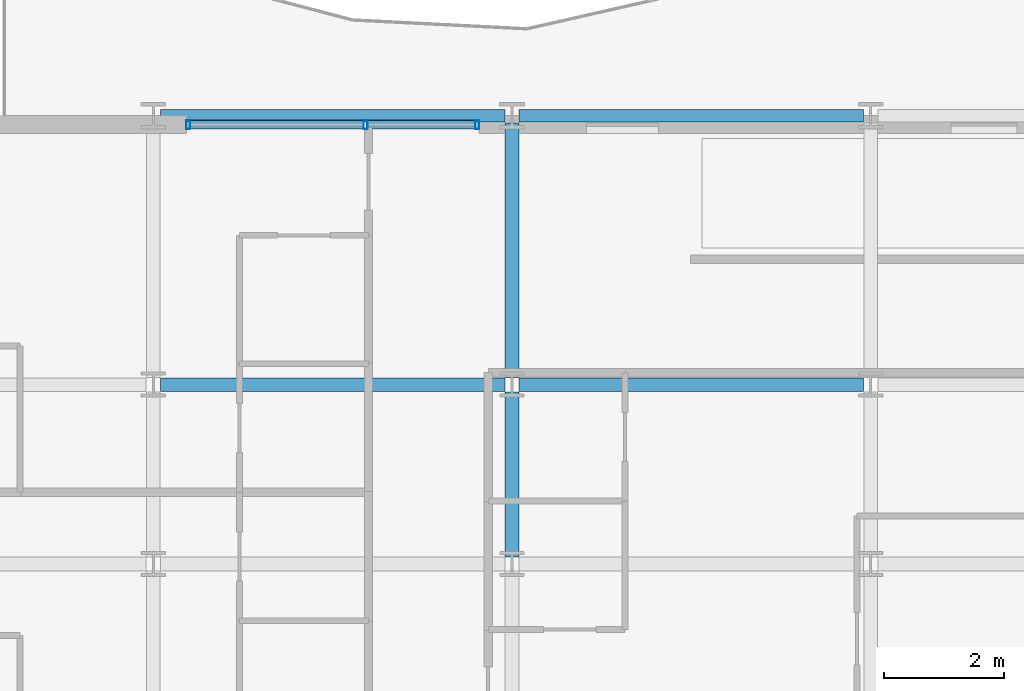
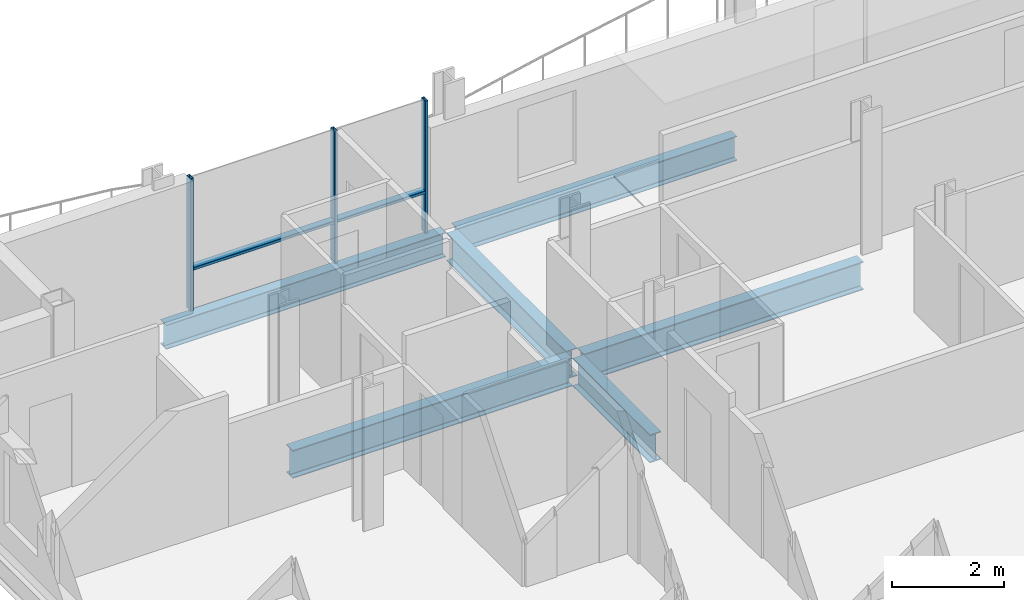
# One storey, part 7 of 39: 6 beams, 5 members, 1 element without a shape of its own.
"""IFC4 building model written with IfcOpenShell, lengths in metres."""

from ifc_helpers import new_model, si_unit, direction, frame, origin, origin_2d, place, context, subcontext, project, spatial, hollow_rectangle, i_section, extrude, material, layer, layer_set, material_profile, profile_set, type_object, element, aggregate, save


model = new_model("IFC4")

# Units and contexts
model_context = context("Model", 3, precision=1e-05, world=origin(), true_north=direction((0.0, 1.0)))
body_context = subcontext(model_context, "Body", "Model", "MODEL_VIEW")
ifc_project = project(units=[si_unit("LENGTHUNIT", "METRE"), si_unit("AREAUNIT", "SQUARE_METRE"), si_unit("VOLUMEUNIT", "CUBIC_METRE"), si_unit("PLANEANGLEUNIT", "RADIAN"), si_unit("MASSUNIT", "GRAM", prefix="KILO")], contexts=[model_context])

# Site, building, storey
site_placement = place(None, origin())
site = spatial("IfcSite", under=ifc_project, at=site_placement, CompositionType="ELEMENT")
building_placement = place(site_placement, origin())
building = spatial("IfcBuilding", under=site, at=building_placement, Name="Brevholm Reach", CompositionType="ELEMENT")
storey_placement = place(building_placement, frame((0.0, 0.0, 103.5)))
storey = spatial("IfcBuildingStorey", under=building, at=storey_placement, Name="L30", CompositionType="ELEMENT", Elevation=103.5)

# Beams
ifc_material_1 = material(Name="Structural Steel S355J2", Category="steel")
ifc_material_profile_1 = material_profile(ifc_material_1, i_section(OverallWidth=0.209228515625, OverallDepth=0.533203125, WebThickness=0.010009765625, FlangeThickness=0.015625, FilletRadius=0.0126953125, at=origin_2d()), Name="UKB 533x210x92")
ifc_profile_set_1 = profile_set([ifc_material_profile_1], Name="Structural Steel S355J2")
beam_type_1 = type_object("IfcBeamType", Name="BM-SP533", PredefinedType="SPANDREL", material=ifc_profile_set_1)
for number, where, z_axis, x_axis, name in (
    (1, (6.1201171875, 31.0, -0.486572265625), (1.0, 0.0, 0.0), (0.0, 1.0, 0.0), "L30 SP-02 Framing Beam"),
    (2, (12.1201171875, 31.0, -0.486572265625), (1.0, 0.0, 0.0), (0.0, 1.0, 0.0), "L30 SP-02 Framing Beam"),
):
    element("IfcBeam", number, at=place(storey_placement, frame(where, z_axis=z_axis, x_axis=x_axis)), inside=storey, type_object=beam_type_1, Name=name, PredefinedType="SPANDREL", context=body_context, shape_type="SweptSolid", body=[
        extrude(i_section(OverallWidth=0.209228515625, OverallDepth=0.533203125, WebThickness=0.010009765625, FlangeThickness=0.015625, FilletRadius=0.0126953125, at=origin_2d()), origin(), (0.0, 0.0, 1.0), 5.759765625),
    ])
ifc_material_2 = material(Name="Structural Steel S355J2", Category="steel")
ifc_material_profile_2 = material_profile(ifc_material_2, i_section(OverallWidth=0.22900390625, OverallDepth=0.6123046875, WebThickness=0.011962890625, FlangeThickness=0.01953125, FilletRadius=0.0126953125, at=origin_2d()), Name="UKB 610x229x125")
ifc_profile_set_2 = profile_set([ifc_material_profile_2], Name="Structural Steel S355J2")
beam_type_2 = type_object("IfcBeamType", Name="BM-SP610", PredefinedType="SPANDREL", material=ifc_profile_set_2)
for number, where, z_axis, x_axis, name in (
    (3, (6.1201171875, 26.5, -0.526123046875), (1.0, 0.0, 0.0), (0.0, 1.0, 0.0), "L30 SP-01 Framing Beam"),
    (4, (12.1201171875, 26.5, -0.526123046875), (1.0, 0.0, 0.0), (0.0, 1.0, 0.0), "L30 SP-01 Framing Beam"),
):
    element("IfcBeam", number, at=place(storey_placement, frame(where, z_axis=z_axis, x_axis=x_axis)), inside=storey, type_object=beam_type_2, Name=name, PredefinedType="SPANDREL", context=body_context, shape_type="SweptSolid", body=[
        extrude(i_section(OverallWidth=0.22900390625, OverallDepth=0.6123046875, WebThickness=0.011962890625, FlangeThickness=0.01953125, FilletRadius=0.0126953125, at=origin_2d()), origin(), (0.0, 0.0, 1.0), 5.759765625),
    ])
beam_1_placement = place(storey_placement, frame((12.0, 23.6201171875, -0.526123046875), z_axis=(0.0, 1.0, 0.0), x_axis=(-1.0, 0.0, 0.0)))
element("IfcBeam", 5, at=beam_1_placement, inside=storey, type_object=beam_type_2, Name="L30 SP-01 Framing Beam", PredefinedType="SPANDREL", context=body_context, shape_type="SweptSolid", body=[
    extrude(i_section(OverallWidth=0.22900390625, OverallDepth=0.6123046875, WebThickness=0.011962890625, FlangeThickness=0.01953125, FilletRadius=0.0126953125, at=origin_2d()), origin(), (0.0, 0.0, 1.0), 2.759765625),
])
beam_2_placement = place(storey_placement, frame((12.0, 26.6201171875, -0.526123046875), z_axis=(0.0, 1.0, 0.0), x_axis=(-1.0, 0.0, 0.0)))
element("IfcBeam", 6, at=beam_2_placement, inside=storey, type_object=beam_type_2, Name="L30 SP-01 Framing Beam", PredefinedType="SPANDREL", context=body_context, shape_type="SweptSolid", body=[
    extrude(i_section(OverallWidth=0.22900390625, OverallDepth=0.6123046875, WebThickness=0.011962890625, FlangeThickness=0.01953125, FilletRadius=0.0126953125, at=origin_2d()), origin(), (0.0, 0.0, 1.0), 4.259765625),
])

# Curtain wall, members
ifc_material_3 = material(Name="Dark Anodised Aluminium 6063-T6 and Solar-Control Glass", Category="aluminium")
ifc_layer = layer(ifc_material_3, 0.14990234375)
ifc_layer_set = layer_set([ifc_layer], Name="Dark Anodised Aluminium 6063-T6 and Solar-Control Glass")
curtain_wall_type = type_object("IfcCurtainWallType", Name="CW-01", PredefinedType="NOTDEFINED", material=ifc_layer_set)
curtain_wall_placement = place(storey_placement, origin())
curtain_wall = element("IfcCurtainWall", 7, at=curtain_wall_placement, inside=storey, type_object=curtain_wall_type, Name="L30 Curtain Wall CW-01", PredefinedType="NOTDEFINED")
ifc_material_4 = material(Name="Dark Anodised Aluminium 6063-T6", Category="aluminium")
ifc_material_profile_3 = material_profile(ifc_material_4, hollow_rectangle(XDim=0.06494140625, YDim=0.14990234375, WallThickness=0.0048828125, InnerFilletRadius=0.0048828125, OuterFilletRadius=0.010009765625, at=origin_2d()), Name="RHS 150x65x5")
ifc_profile_set_3 = profile_set([ifc_material_profile_3], Name="Dark Anodised Aluminium 6063-T6")
member_type_1 = type_object("IfcMemberType", Name="CWM-150", PredefinedType="MULLION", material=ifc_profile_set_3)
member_1_placement = place(storey_placement, frame((6.58251953125, 30.85009765625, 0.0), z_axis=(0.0, 0.0, 1.0), x_axis=(1.0, 0.0, 0.0)))
member_1 = element("IfcMember", 8, at=member_1_placement, type_object=member_type_1, Name="CM-150 Mullion 1", PredefinedType="MULLION", context=body_context, shape_type="SweptSolid", body=[
    extrude(hollow_rectangle(XDim=0.06494140625, YDim=0.14990234375, WallThickness=0.0048828125, InnerFilletRadius=0.0048828125, OuterFilletRadius=0.010009765625, at=origin_2d()), origin(), (0.0, 0.0, 1.0), 2.8798828125),
])
member_2_placement = place(storey_placement, frame((9.550048828125, 30.85009765625, 0.0), z_axis=(0.0, 0.0, 1.0), x_axis=(1.0, 0.0, 0.0)))
member_2 = element("IfcMember", 9, at=member_2_placement, type_object=member_type_1, Name="CM-150 Mullion 2", PredefinedType="MULLION", context=body_context, shape_type="SweptSolid", body=[
    extrude(hollow_rectangle(XDim=0.06494140625, YDim=0.14990234375, WallThickness=0.0048828125, InnerFilletRadius=0.0048828125, OuterFilletRadius=0.010009765625, at=origin_2d()), origin(), (0.0, 0.0, 1.0), 2.8798828125),
])
member_3_placement = place(storey_placement, frame((11.41748046875, 30.85009765625, 0.0), z_axis=(0.0, 0.0, 1.0), x_axis=(1.0, 0.0, 0.0)))
member_3 = element("IfcMember", 10, at=member_3_placement, type_object=member_type_1, Name="CM-150 Mullion 3", PredefinedType="MULLION", context=body_context, shape_type="SweptSolid", body=[
    extrude(hollow_rectangle(XDim=0.06494140625, YDim=0.14990234375, WallThickness=0.0048828125, InnerFilletRadius=0.0048828125, OuterFilletRadius=0.010009765625, at=origin_2d()), origin(), (0.0, 0.0, 1.0), 2.8798828125),
])
ifc_material_5 = material(Name="Dark Anodised Aluminium 6063-T6", Category="aluminium")
ifc_material_profile_4 = material_profile(ifc_material_5, hollow_rectangle(XDim=0.06494140625, YDim=0.14990234375, WallThickness=0.0048828125, InnerFilletRadius=0.0048828125, OuterFilletRadius=0.010009765625, at=origin_2d()), Name="RHS 150x65x5")
ifc_profile_set_4 = profile_set([ifc_material_profile_4], Name="Dark Anodised Aluminium 6063-T6")
member_type_2 = type_object("IfcMemberType", Name="CWT-150", PredefinedType="NOTDEFINED", material=ifc_profile_set_4)
member_4_placement = place(storey_placement, frame((6.614990234375, 30.85009765625, 0.89990234375), z_axis=(1.0, 0.0, 0.0), x_axis=(0.0, 0.0, 1.0)))
member_4 = element("IfcMember", 11, at=member_4_placement, type_object=member_type_2, Name="CT-150 Transom 1.1", ObjectType="TRANSOM", PredefinedType="USERDEFINED", context=body_context, shape_type="SweptSolid", body=[
    extrude(hollow_rectangle(XDim=0.06494140625, YDim=0.14990234375, WallThickness=0.0048828125, InnerFilletRadius=0.0048828125, OuterFilletRadius=0.010009765625, at=origin_2d()), origin(), (0.0, 0.0, 1.0), 2.902587890625),
])
member_5_placement = place(storey_placement, frame((9.58251953125, 30.85009765625, 0.89990234375), z_axis=(1.0, 0.0, 0.0), x_axis=(0.0, 0.0, 1.0)))
member_5 = element("IfcMember", 12, at=member_5_placement, type_object=member_type_2, Name="CT-150 Transom 2.1", ObjectType="TRANSOM", PredefinedType="USERDEFINED", context=body_context, shape_type="SweptSolid", body=[
    extrude(hollow_rectangle(XDim=0.06494140625, YDim=0.14990234375, WallThickness=0.0048828125, InnerFilletRadius=0.0048828125, OuterFilletRadius=0.010009765625, at=origin_2d()), origin(), (0.0, 0.0, 1.0), 1.802490234375),
])
aggregate(curtain_wall, [member_1, member_2, member_3, member_4, member_5])

save(model, "model.ifc")
